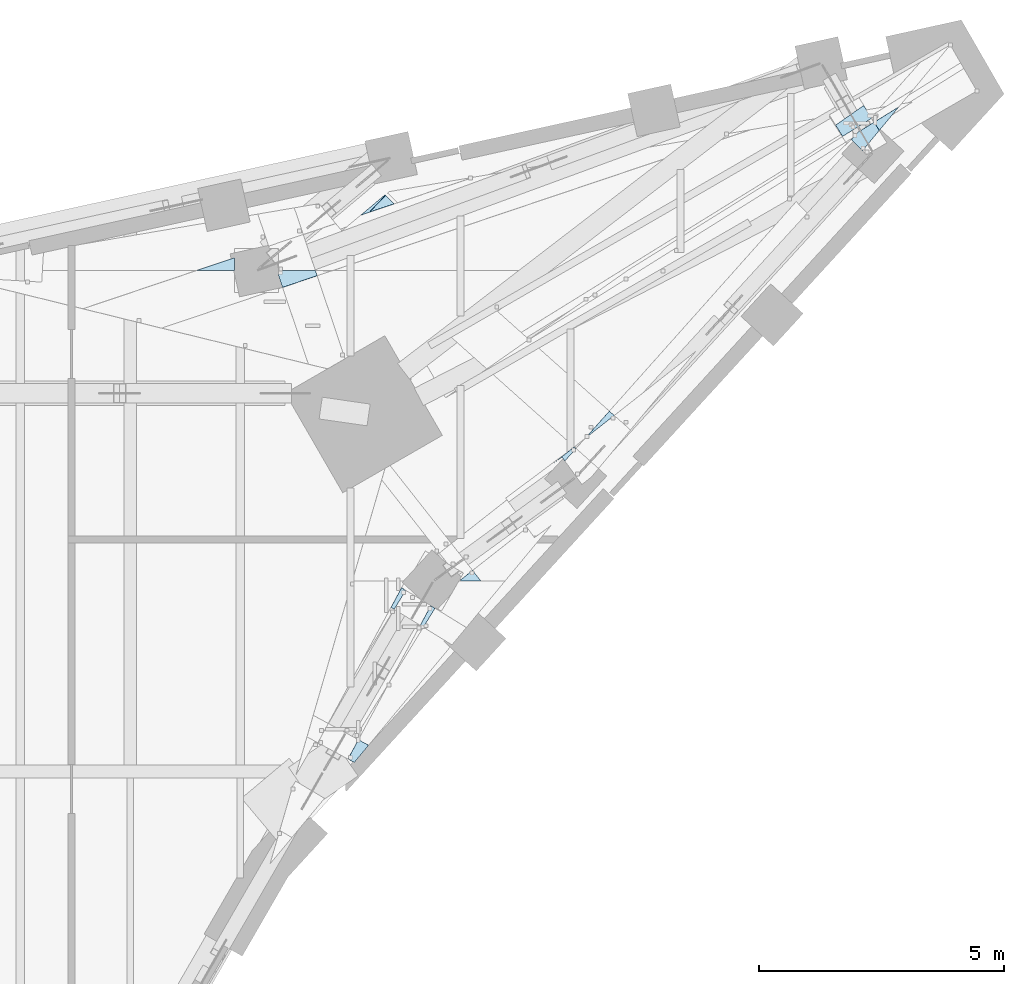
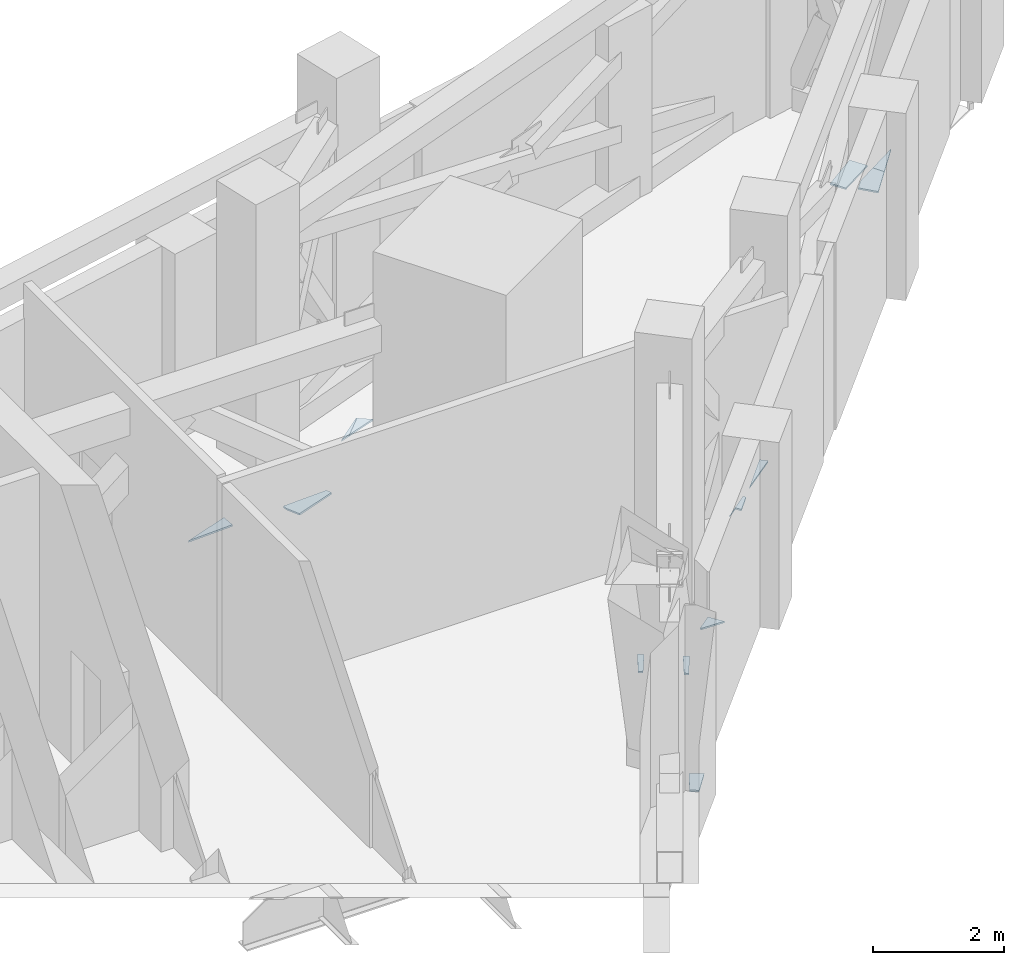
# One storey, part 9 of 23: 13 plates.
"""IFC4 building model written with IfcOpenShell, lengths in metres."""

from ifc_helpers import new_model, si_unit, direction, frame, origin, place, context, subcontext, project, spatial, polyline, outline, extrude, material, layer, layer_set, type_object, element, save


model = new_model("IFC4")

# Units and contexts
model_context = context("Model", 3, precision=1e-05, world=origin(), true_north=direction((0.0, 1.0)))
body_context = subcontext(model_context, "Body", "Model", "MODEL_VIEW")
ifc_project = project(units=[si_unit("LENGTHUNIT", "METRE"), si_unit("AREAUNIT", "SQUARE_METRE"), si_unit("VOLUMEUNIT", "CUBIC_METRE"), si_unit("PLANEANGLEUNIT", "RADIAN"), si_unit("MASSUNIT", "GRAM", prefix="KILO")], contexts=[model_context])

# Site, building, storey
site_placement = place(None, origin())
site = spatial("IfcSite", under=ifc_project, at=site_placement, CompositionType="ELEMENT")
building_placement = place(site_placement, origin())
building = spatial("IfcBuilding", under=site, at=building_placement, Name="Calabash Gate Tower", CompositionType="ELEMENT")
storey_placement = place(building_placement, frame((0.0, 0.0, 243.199951171875)))
storey = spatial("IfcBuildingStorey", under=building, at=storey_placement, Name="L58", CompositionType="ELEMENT", Elevation=243.199951171875)

# Plates
ifc_material_1 = material(Name="Dark tinted laminated glass", Category="glass")
ifc_layer_1 = layer(ifc_material_1, 0.030029296875)
ifc_layer_set_1 = layer_set([ifc_layer_1], Name="Dark glass soffit plate 30")
plate_type_1 = type_object("IfcPlateType", Name="Dark glass soffit plate 30", PredefinedType="SHEET", material=ifc_layer_set_1)
plate_1_placement = place(storey_placement, frame((32.990966796875, 22.427978515625, -0.993896484375), z_axis=(0.009749476358, 0.006098876807, 0.99993387352), x_axis=(0.529927684358, -0.848042834602, 5.591715e-06)))
element("IfcPlate", 1, at=plate_1_placement, inside=storey, type_object=plate_type_1, Name="Dark glass soffit SOF-Z5-NE-45", PredefinedType="SHEET", context=body_context, shape_type="SweptSolid", body=[
    extrude(outline(polyline([(0.0, 0.0), (0.307861328125, 0.0), (0.3076171875, -0.700439453125), (0.036376953125, -0.70068359375), (0.0, 0.0)])), origin(), (0.0, 0.0, -1.0), 0.030029296875),
])
plate_2_placement = place(storey_placement, frame((32.965087890625, 21.5029296875, -1.015869140625), z_axis=(0.025048390135, -0.018249813405, 0.999519645861), x_axis=(-0.697561777824, 0.715872991499, 0.030552023862)))
element("IfcPlate", 2, at=plate_2_placement, inside=storey, type_object=plate_type_1, Name="Dark glass soffit SOF-Z5-NE-49", PredefinedType="SHEET", context=body_context, shape_type="SweptSolid", body=[
    extrude(outline(polyline([(0.0, 0.0), (0.31982421875, 0.0), (0.334716796875, -0.204345703125), (0.250732421875, -0.579345703125), (0.056396484375, -0.53662109375), (0.0, 0.0)])), origin(), (0.0, 0.0, -1.0), 0.030029296875),
])
plate_3_placement = place(storey_placement, frame((20.126953125, 19.052978515625, -1.263916015625), z_axis=(-0.037020678432, 0.090556999522, 0.995202943729), x_axis=(-0.999308829795, 0.0, -0.0371734138)))
element("IfcPlate", 3, at=plate_3_placement, inside=storey, type_object=plate_type_1, Name="Dark glass soffit SOF-Z5-NE-52", PredefinedType="SHEET", context=body_context, shape_type="SweptSolid", body=[
    extrude(outline(polyline([(0.0, 0.0), (0.781494140625, 0.0), (0.0009765625, -0.263916015625), (0.0, 0.0)])), origin(), (0.0, 0.0, -1.0), 0.030029296875),
])
plate_4_placement = place(storey_placement, frame((22.580078125, 9.0009765625, -0.993896484375), z_axis=(0.024308020621, -0.019080622887, 0.999522410936), x_axis=(-0.880056406995, 0.473891940533, 0.030449124864)))
element("IfcPlate", 4, at=plate_4_placement, inside=storey, type_object=plate_type_1, Name="Dark glass soffit SOF-Z5-NE-54", PredefinedType="SHEET", context=body_context, shape_type="SweptSolid", body=[
    extrude(outline(polyline([(0.0, 0.0), (0.14794921875, 0.0), (0.146728515625, -0.44921875), (-0.090087890625, -0.448486328125), (0.0, 0.0)])), origin(), (0.0, 0.0, -1.0), 0.030029296875),
])
plate_5_placement = place(storey_placement, frame((22.886962890625, 20.24609375, -1.266845703125), z_axis=(-0.037253614438, 0.087920326872, 0.9954306527), x_axis=(0.690795259829, 0.722055282714, -0.037921994976)))
element("IfcPlate", 5, at=plate_5_placement, inside=storey, type_object=plate_type_1, Name="Dark glass soffit SOF-Z5-NE-56", PredefinedType="SHEET", context=body_context, shape_type="SweptSolid", body=[
    extrude(outline(polyline([(0.0, 0.0), (0.476318359375, 0.0), (0.476318359375, -0.250732421875), (0.0, 0.0)])), origin(), (0.0, 0.0, -1.0), 0.030029296875),
])
plate_6_placement = place(storey_placement, frame((33.31005859375, 21.91796875, -1.016845703125), z_axis=(0.025622219744, -0.018743278552, 0.999495968658), x_axis=(-0.527561694479, 0.849006261813, 0.029445303878)))
element("IfcPlate", 6, at=plate_6_placement, inside=storey, type_object=plate_type_1, Name="Dark glass soffit SOF-Z5-NE-57", PredefinedType="SHEET", context=body_context, shape_type="SweptSolid", body=[
    extrude(outline(polyline([(0.0, 0.0), (0.198974609375, 0.0), (0.198486328125, -0.595458984375), (0.0, 0.0)])), origin(), (0.0, 0.0, -1.0), 0.030029296875),
])
plate_7_placement = place(storey_placement, frame((24.76611328125, 12.708984375, -0.97802734375), z_axis=(0.023145046933, -0.015808969119, 0.999607114469), x_axis=(-0.608418185145, 0.79316963751, 0.026631524896)))
element("IfcPlate", 7, at=plate_7_placement, inside=storey, type_object=plate_type_1, Name="Dark glass soffit SOF-Z5-NE-62", PredefinedType="SHEET", context=body_context, shape_type="SweptSolid", body=[
    extrude(outline(polyline([(0.0, 0.0), (0.0263671875, 0.0), (0.0302734375, -0.3154296875), (-0.244873046875, -0.31884765625), (0.0, 0.0)])), origin(), (0.0, 0.0, -1.0), 0.030029296875),
])
plate_8_placement = place(storey_placement, frame((23.5810546875, 12.5439453125, -0.951904296875), z_axis=(0.021651507398, -0.016645038059, 0.999627007906), x_axis=(0.868680197532, -0.494634136665, -0.02705152976)))
element("IfcPlate", 8, at=plate_8_placement, inside=storey, type_object=plate_type_1, Name="Dark glass soffit SOF-Z5-NE-63", PredefinedType="SHEET", context=body_context, shape_type="SweptSolid", body=[
    extrude(outline(polyline([(0.0, 0.0), (0.058837890625, 0.0), (0.042724609375, -0.450927734375), (-0.033447265625, -0.448486328125), (-0.0439453125, 0.008544921875), (-0.00048828125, 0.0068359375), (0.0, 0.0)])), origin(), (0.0, 0.0, -1.0), 0.030029296875),
])
ifc_material_2 = material(Name="Dark bronze anodised aluminium panel", Category="aluminium")
ifc_layer_2 = layer(ifc_material_2, 0.030029296875)
ifc_layer_set_2 = layer_set([ifc_layer_2], Name="Dark soffit panel plate 30")
plate_type_2 = type_object("IfcPlateType", Name="Dark soffit panel plate 30", PredefinedType="SHEET", material=ifc_layer_set_2)
plate_9_placement = place(storey_placement, frame((21.027099609375, 19.052978515625, -1.22998046875), z_axis=(-0.036966169339, 0.089978775528, 0.995257415084), x_axis=(0.99931096488, 8.35403e-06, 0.037115972315)))
element("IfcPlate", 9, at=plate_9_placement, inside=storey, type_object=plate_type_2, Name="Dark soffit panel SOF-Z5-NE-47", PredefinedType="SHEET", context=body_context, shape_type="SweptSolid", body=[
    extrude(outline(polyline([(0.0, 0.0), (0.75830078125, 0.0), (0.7939453125, -0.1044921875), (0.087158203125, -0.344482421875), (0.000244140625, -0.08740234375), (0.0, 0.0)])), origin(), (0.0, 0.0, -1.0), 0.030029296875),
])
plate_10_placement = place(storey_placement, frame((27.29296875, 15.62109375, -0.98583984375), z_axis=(0.023698852022, -0.017243399537, 0.999570422524), x_axis=(0.666135716506, 0.745824803685, -0.002927354223)))
element("IfcPlate", 10, at=plate_10_placement, inside=storey, type_object=plate_type_2, Name="Dark soffit panel SOF-Z5-NE-60", PredefinedType="SHEET", context=body_context, shape_type="SweptSolid", body=[
    extrude(outline(polyline([(0.0, 0.0), (0.75048828125, 0.0), (0.7509765625, -0.1337890625), (0.0, 0.0)])), origin(), (0.0, 0.0, -1.0), 0.030029296875),
])
plate_11_placement = place(storey_placement, frame((24.14404296875, 12.205078125, -0.972900390625), z_axis=(0.023423016463, -0.017531241791, 0.999571917303), x_axis=(0.8508816154, -0.524548771755, -0.029138679199)))
element("IfcPlate", 11, at=plate_11_placement, inside=storey, type_object=plate_type_2, Name="Dark soffit panel SOF-Z5-NE-64", PredefinedType="SHEET", context=body_context, shape_type="SweptSolid", body=[
    extrude(outline(polyline([(0.0, 0.0), (0.10107421875, 0.0), (0.101318359375, -0.455810546875), (0.0263671875, -0.456298828125), (0.0, 0.0)])), origin(), (0.0, 0.0, -1.0), 0.030029296875),
])
plate_12_placement = place(storey_placement, frame((26.824951171875, 15.240966796875, -0.98193359375), z_axis=(0.026836516145, -0.021582525602, 0.999406822065), x_axis=(-0.807818462506, -0.589363191152, 0.008964404537)))
element("IfcPlate", 12, at=plate_12_placement, inside=storey, type_object=plate_type_2, Name="Dark soffit panel SOF-Z5-NE-66", PredefinedType="SHEET", context=body_context, shape_type="SweptSolid", body=[
    extrude(outline(polyline([(0.0, 0.0), (0.22900390625, 0.0), (-0.325927734375, -0.02099609375), (-0.335693359375, 0.027099609375), (0.000244140625, 0.098876953125), (0.0, 0.0)])), origin(), (0.0, 0.0, -1.0), 0.030029296875),
])
plate_13_placement = place(storey_placement, frame((23.2060546875, 20.60009765625, -1.285888671875), z_axis=(-0.033970082765, 0.084190891215, 0.995870437011), x_axis=(0.705004258116, -0.704260101563, 0.083586514372)))
element("IfcPlate", 13, at=plate_13_placement, inside=storey, type_object=plate_type_2, Name="Dark soffit panel SOF-Z5-NE-67", PredefinedType="SHEET", context=body_context, shape_type="SweptSolid", body=[
    extrude(outline(polyline([(0.0, 0.0), (0.01416015625, 0.0), (0.02587890625, -0.476318359375), (-0.056640625, -0.642578125), (0.0, 0.0)])), origin(), (0.0, 0.0, -1.0), 0.030029296875),
])

save(model, "model.ifc")
